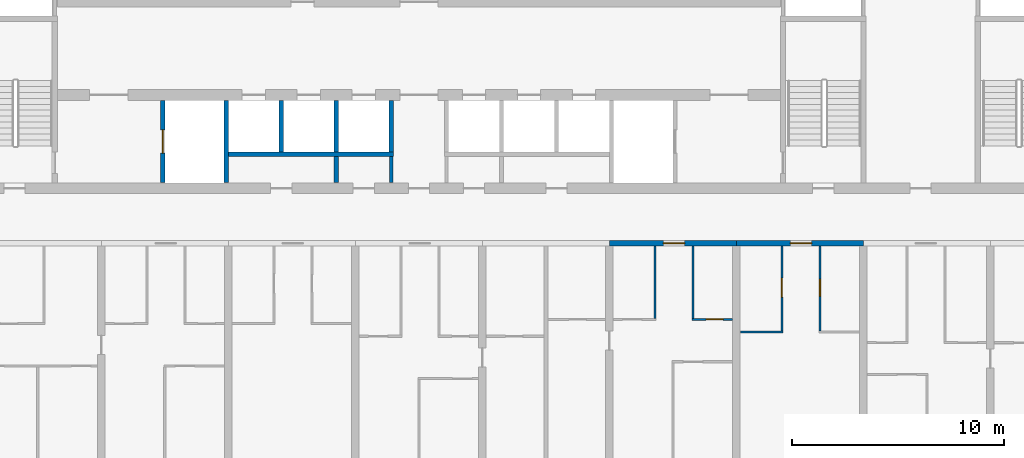
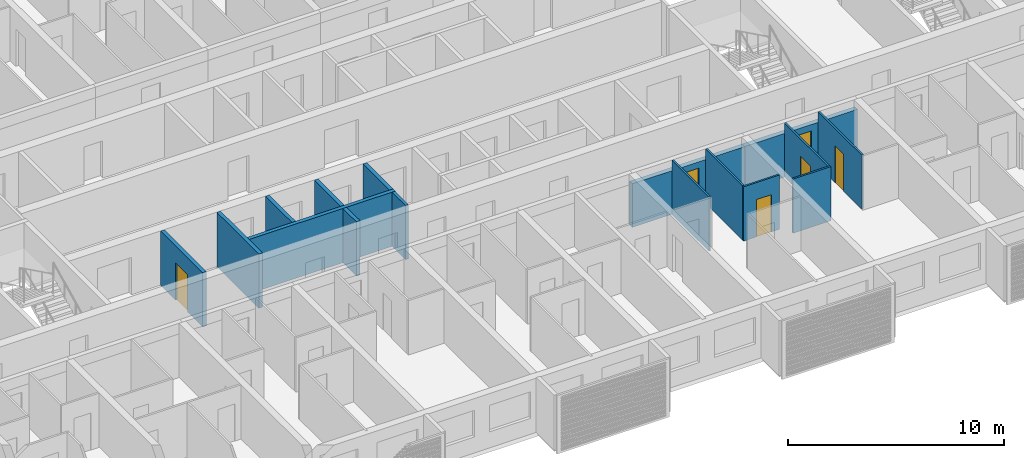
# One storey, part 7 of 28: 16 walls, 6 doors, 6 openings.
"""IFC4 building model written with IfcOpenShell, lengths in metres."""

from ifc_helpers import new_model, si_unit, direction, frame, frame_2d, origin, place, context, subcontext, project, spatial, rectangle, extrude, material, layer, layer_set, type_object, element, fill, save


model = new_model("IFC4")

# Units and contexts
model_context = context("Model", 3, precision=1e-05, world=origin(), true_north=direction((0.0, 1.0)))
body_context = subcontext(model_context, "Body", "Model", "MODEL_VIEW")
ifc_project = project(units=[si_unit("LENGTHUNIT", "METRE"), si_unit("AREAUNIT", "SQUARE_METRE"), si_unit("VOLUMEUNIT", "CUBIC_METRE"), si_unit("PLANEANGLEUNIT", "RADIAN"), si_unit("MASSUNIT", "GRAM", prefix="KILO")], contexts=[model_context])

# Site, building, storey
site_placement = place(None, origin())
site = spatial("IfcSite", under=ifc_project, at=site_placement, CompositionType="ELEMENT")
building_placement = place(site_placement, origin())
building = spatial("IfcBuilding", under=site, at=building_placement, Name="Poui Terraces", CompositionType="ELEMENT")
storey_placement = place(building_placement, frame((0.0, 0.0, 72.89990234375)))
storey = spatial("IfcBuildingStorey", under=building, at=storey_placement, Name="L19", CompositionType="ELEMENT", Elevation=72.89990234375)

# Wall
ifc_material_1 = material(Name="Fire-rated plasterboard wall")
ifc_layer_1 = layer(ifc_material_1, 0.14990234375)
ifc_layer_set_1 = layer_set([ifc_layer_1], Name="Fire-rated plasterboard wall")
wall_type_1 = type_object("IfcWallType", Name="CORRIDOR WALL 150", PredefinedType="PARTITIONING", material=ifc_layer_set_1)
wall_1_placement = place(storey_placement, frame((49.699951171875, 14.860107421875, 0.0), z_axis=(0.0, 0.0, 1.0), x_axis=(0.0, 1.0, 0.0)))
element("IfcWall", 1, at=wall_1_placement, inside=storey, type_object=wall_type_1, Name="CORRIDOR WALL 150", PredefinedType="PARTITIONING", context=body_context, shape_type="SweptSolid", body=[
    extrude(rectangle(XDim=1.239990234375, YDim=0.14990234375, at=frame_2d((0.6201171875, 0.0))), origin(), (0.0, 0.0, 1.0), 3.06005859375),
])

# Wall, opening, door
ifc_material_2 = material(Name="Concrete 65 MPa", Category="concrete")
ifc_layer_2 = layer(ifc_material_2, 0.25)
ifc_layer_set_2 = layer_set([ifc_layer_2], Name="Concrete 65 MPa")
wall_type_2 = type_object("IfcWallType", Name="CORRIDOR WALL 250 65MPa", PredefinedType="SHEAR", material=ifc_layer_set_2)
wall_2_placement = place(storey_placement, frame((60.0, 12.0, 0.0), z_axis=(0.0, 0.0, 1.0), x_axis=(1.0, 0.0, 0.0)))
wall_2 = element("IfcWall", 2, at=wall_2_placement, inside=storey, type_object=wall_type_2, Name="CORRIDOR WALL LINE B BAY 10", PredefinedType="SHEAR", context=body_context, shape_type="SweptSolid", body=[
    extrude(rectangle(XDim=6.0, YDim=0.25, at=frame_2d((3.0, 0.0))), origin(), (0.0, 0.0, 1.0), 2.460205078125),
])
opening_1_placement = place(wall_2_placement, frame((2.550048828125, 0.0, 0.0)))
opening_1 = element("IfcOpeningElement", 3, at=opening_1_placement, cuts=wall_2, Name="Opening FD30S", PredefinedType="OPENING", context=body_context, shape_type="SweptSolid", body=[
    extrude(rectangle(XDim=1.0, YDim=2.10009765625, at=frame_2d((0.5, 1.050048828125))), frame((0.0, 0.135009765625, 0.0), z_axis=(0.0, -1.0, 0.0), x_axis=(1.0, 0.0, 0.0)), (0.0, 0.0, 1.0), 0.27001953125),
])
ifc_material_3 = material(Name="Steel fire door", Category="steel")
door_type_1 = type_object("IfcDoorType", Name="FLAT ENTRANCE DOOR 1000 X 2100", OperationType="NOTDEFINED", PredefinedType="DOOR", material=ifc_material_3)
door_1_placement = place(opening_1_placement, frame((1.0, 0.0, 0.0), z_axis=(0.0, 0.0, 1.0), x_axis=(-1.0, 0.0, 0.0)))
door_1 = element("IfcDoor", 4, at=door_1_placement, inside=storey, type_object=door_type_1, Name="FLAT ENTRANCE DOOR 116", OperationType="SINGLE_SWING_LEFT", OverallHeight=2.10009765625, OverallWidth=1.0, PredefinedType="DOOR", context=body_context, shape_type="SweptSolid", body=[
    extrude(rectangle(XDim=1.0, YDim=2.10009765625, at=frame_2d((0.5, 1.050048828125))), frame((0.0, 0.02490234375, 0.0), z_axis=(0.0, -1.0, 0.0), x_axis=(1.0, 0.0, 0.0)), (0.0, 0.0, 1.0), 0.050048828125),
])
fill(opening_1, door_1)

wall_3_placement = place(storey_placement, frame((66.0, 12.0, 0.0), z_axis=(0.0, 0.0, 1.0), x_axis=(1.0, 0.0, 0.0)))
wall_3 = element("IfcWall", 5, at=wall_3_placement, inside=storey, type_object=wall_type_2, Name="CORRIDOR WALL LINE B BAY 11", PredefinedType="SHEAR", context=body_context, shape_type="SweptSolid", body=[
    extrude(rectangle(XDim=6.0, YDim=0.25, at=frame_2d((3.0, 0.0))), origin(), (0.0, 0.0, 1.0), 2.460205078125),
])
opening_2_placement = place(wall_3_placement, frame((2.550048828125, 0.0, 0.0)))
opening_2 = element("IfcOpeningElement", 6, at=opening_2_placement, cuts=wall_3, Name="Opening FD30S", PredefinedType="OPENING", context=body_context, shape_type="SweptSolid", body=[
    extrude(rectangle(XDim=1.0, YDim=2.10009765625, at=frame_2d((0.5, 1.050048828125))), frame((0.0, 0.135009765625, 0.0), z_axis=(0.0, -1.0, 0.0), x_axis=(1.0, 0.0, 0.0)), (0.0, 0.0, 1.0), 0.27001953125),
])
door_2_placement = place(opening_2_placement, frame((1.0, 0.0, 0.0), z_axis=(0.0, 0.0, 1.0), x_axis=(-1.0, 0.0, 0.0)))
door_2 = element("IfcDoor", 7, at=door_2_placement, inside=storey, type_object=door_type_1, Name="FLAT ENTRANCE DOOR 120", OperationType="SINGLE_SWING_LEFT", OverallHeight=2.10009765625, OverallWidth=1.0, PredefinedType="DOOR", context=body_context, shape_type="SweptSolid", body=[
    extrude(rectangle(XDim=1.0, YDim=2.10009765625, at=frame_2d((0.5, 1.050048828125))), frame((0.0, 0.02490234375, 0.0), z_axis=(0.0, -1.0, 0.0), x_axis=(1.0, 0.0, 0.0)), (0.0, 0.0, 1.0), 0.050048828125),
])
fill(opening_2, door_2)

# Wall
ifc_material_4 = material(Name="Plasterboard partition")
ifc_layer_3 = layer(ifc_material_4, 0.10009765625)
ifc_layer_set_3 = layer_set([ifc_layer_3], Name="Plasterboard partition")
wall_type_3 = type_object("IfcWallType", Name="FLAT PARTITION 100", PredefinedType="PARTITIONING", material=ifc_layer_set_3)
wall_4_placement = place(storey_placement, frame((66.18505859375, 7.800048828125, 0.0), z_axis=(0.0, 0.0, 1.0), x_axis=(1.0, 0.0, 0.0)))
element("IfcWall", 8, at=wall_4_placement, inside=storey, type_object=wall_type_3, Name="FLAT PARTITION 100", PredefinedType="PARTITIONING", context=body_context, shape_type="SweptSolid", body=[
    extrude(rectangle(XDim=2.014892578125, YDim=0.10009765625, at=frame_2d((1.00732421875, 0.0))), origin(), (0.0, 0.0, 1.0), 3.06005859375),
])

# Wall, opening, door
wall_5_placement = place(storey_placement, frame((63.89990234375, 8.39990234375, 0.0), z_axis=(0.0, 0.0, 1.0), x_axis=(1.0, 0.0, 0.0)))
wall_5 = element("IfcWall", 9, at=wall_5_placement, inside=storey, type_object=wall_type_3, Name="FLAT PARTITION 100", PredefinedType="PARTITIONING", context=body_context, shape_type="SweptSolid", body=[
    extrude(rectangle(XDim=1.9150390625, YDim=0.10009765625, at=frame_2d((0.95751953125, 0.0))), origin(), (0.0, 0.0, 1.0), 3.06005859375),
])
opening_3_placement = place(wall_5_placement, frame((0.675048828125, 0.0, 0.0)))
opening_3 = element("IfcOpeningElement", 10, at=opening_3_placement, cuts=wall_5, Name="Opening D80", PredefinedType="OPENING", context=body_context, shape_type="SweptSolid", body=[
    extrude(rectangle(XDim=0.800048828125, YDim=2.10009765625, at=frame_2d((0.39990234375, 1.050048828125))), frame((0.0, 0.06005859375, 0.0), z_axis=(0.0, -1.0, 0.0), x_axis=(1.0, 0.0, 0.0)), (0.0, 0.0, 1.0), 0.1201171875),
])
ifc_material_5 = material(Name="Solid core timber door", Category="wood")
door_type_2 = type_object("IfcDoorType", Name="BATHROOM, LAUNDRY AND STORE DOOR 800 X 2100", OperationType="NOTDEFINED", PredefinedType="DOOR", material=ifc_material_5)
door_3_placement = place(opening_3_placement, origin())
door_3 = element("IfcDoor", 11, at=door_3_placement, inside=storey, type_object=door_type_2, Name="BATHROOM, LAUNDRY AND STORE DOOR 118", OperationType="SINGLE_SWING_LEFT", OverallHeight=2.10009765625, OverallWidth=0.800048828125, PredefinedType="DOOR", context=body_context, shape_type="SweptSolid", body=[
    extrude(rectangle(XDim=0.800048828125, YDim=2.10009765625, at=frame_2d((0.39990234375, 1.050048828125))), frame((0.0, 0.02490234375, 0.0), z_axis=(0.0, -1.0, 0.0), x_axis=(1.0, 0.0, 0.0)), (0.0, 0.0, 1.0), 0.050048828125),
])
fill(opening_3, door_3)

# Walls
for number, where, z_axis, x_axis, name in (
    (12, (62.14990234375, 8.449951171875, 0.0), (0.0, 0.0, 1.0), (0.0, 1.0, 0.0), "FLAT PARTITION 100"),
    (13, (63.949951171875, 8.449951171875, 0.0), (0.0, 0.0, 1.0), (0.0, 1.0, 0.0), "FLAT PARTITION 100"),
):
    element("IfcWall", number, at=place(storey_placement, frame(where, z_axis=z_axis, x_axis=x_axis)), inside=storey, type_object=wall_type_3, Name=name, PredefinedType="PARTITIONING", context=body_context, shape_type="SweptSolid", body=[
        extrude(rectangle(XDim=3.4150390625, YDim=0.10009765625, at=frame_2d((1.70751953125, 0.0))), origin(), (0.0, 0.0, 1.0), 3.06005859375),
    ])

# Wall, opening, door
wall_6_placement = place(storey_placement, frame((68.14990234375, 7.85009765625, 0.0), z_axis=(0.0, 0.0, 1.0), x_axis=(0.0, 1.0, 0.0)))
wall_6 = element("IfcWall", 14, at=wall_6_placement, inside=storey, type_object=wall_type_3, Name="FLAT PARTITION 100", PredefinedType="PARTITIONING", context=body_context, shape_type="SweptSolid", body=[
    extrude(rectangle(XDim=4.014892578125, YDim=0.10009765625, at=frame_2d((2.00732421875, 0.0))), origin(), (0.0, 0.0, 1.0), 3.06005859375),
])
opening_4_placement = place(wall_6_placement, frame((1.60009765625, 0.0, 0.0)))
opening_4 = element("IfcOpeningElement", 15, at=opening_4_placement, cuts=wall_6, Name="Opening D90", PredefinedType="OPENING", context=body_context, shape_type="SweptSolid", body=[
    extrude(rectangle(XDim=0.89990234375, YDim=2.10009765625, at=frame_2d((0.449951171875, 1.050048828125))), frame((0.0, 0.06005859375, 0.0), z_axis=(0.0, -1.0, 0.0), x_axis=(1.0, 0.0, 0.0)), (0.0, 0.0, 1.0), 0.1201171875),
])
door_type_3 = type_object("IfcDoorType", Name="INTERNAL DOOR 900 X 2100", OperationType="NOTDEFINED", PredefinedType="DOOR", material=ifc_material_5)
door_4_placement = place(opening_4_placement, origin())
door_4 = element("IfcDoor", 16, at=door_4_placement, inside=storey, type_object=door_type_3, Name="INTERNAL DOOR 119", OperationType="SINGLE_SWING_RIGHT", OverallHeight=2.10009765625, OverallWidth=0.89990234375, PredefinedType="DOOR", context=body_context, shape_type="SweptSolid", body=[
    extrude(rectangle(XDim=0.89990234375, YDim=2.10009765625, at=frame_2d((0.449951171875, 1.050048828125))), frame((0.0, 0.02490234375, 0.0), z_axis=(0.0, -1.0, 0.0), x_axis=(1.0, 0.0, 0.0)), (0.0, 0.0, 1.0), 0.050048828125),
])
fill(opening_4, door_4)

wall_7_placement = place(storey_placement, frame((69.949951171875, 7.85009765625, 0.0), z_axis=(0.0, 0.0, 1.0), x_axis=(0.0, 1.0, 0.0)))
wall_7 = element("IfcWall", 17, at=wall_7_placement, inside=storey, type_object=wall_type_3, Name="FLAT PARTITION 100", PredefinedType="PARTITIONING", context=body_context, shape_type="SweptSolid", body=[
    extrude(rectangle(XDim=4.014892578125, YDim=0.10009765625, at=frame_2d((2.00732421875, 0.0))), origin(), (0.0, 0.0, 1.0), 3.06005859375),
])
opening_5_placement = place(wall_7_placement, frame((1.64990234375, 0.0, 0.0)))
opening_5 = element("IfcOpeningElement", 18, at=opening_5_placement, cuts=wall_7, Name="Opening D80", PredefinedType="OPENING", context=body_context, shape_type="SweptSolid", body=[
    extrude(rectangle(XDim=0.800048828125, YDim=2.10009765625, at=frame_2d((0.39990234375, 1.050048828125))), frame((0.0, 0.06005859375, 0.0), z_axis=(0.0, -1.0, 0.0), x_axis=(1.0, 0.0, 0.0)), (0.0, 0.0, 1.0), 0.1201171875),
])
door_5_placement = place(opening_5_placement, frame((0.800048828125, 0.0, 0.0), z_axis=(0.0, 0.0, 1.0), x_axis=(-1.0, 0.0, 0.0)))
door_5 = element("IfcDoor", 19, at=door_5_placement, inside=storey, type_object=door_type_2, Name="BATHROOM, LAUNDRY AND STORE DOOR 121", OperationType="SINGLE_SWING_RIGHT", OverallHeight=2.10009765625, OverallWidth=0.800048828125, PredefinedType="DOOR", context=body_context, shape_type="SweptSolid", body=[
    extrude(rectangle(XDim=0.800048828125, YDim=2.10009765625, at=frame_2d((0.39990234375, 1.050048828125))), frame((0.0, 0.02490234375, 0.0), z_axis=(0.0, -1.0, 0.0), x_axis=(1.0, 0.0, 0.0)), (0.0, 0.0, 1.0), 0.050048828125),
])
fill(opening_5, door_5)

# Walls
ifc_material_6 = material(Name="Fire-rated masonry wall", Category="masonry")
ifc_layer_4 = layer(ifc_material_6, 0.199951171875)
ifc_layer_set_4 = layer_set([ifc_layer_4], Name="Fire-rated masonry wall")
wall_type_4 = type_object("IfcWallType", Name="PLANT ROOM WALL 200", PredefinedType="PARTITIONING", material=ifc_layer_set_4)
wall_8_placement = place(storey_placement, frame((47.10009765625, 14.860107421875, 0.0), z_axis=(0.0, 0.0, 1.0), x_axis=(0.0, 1.0, 0.0)))
element("IfcWall", 20, at=wall_8_placement, inside=storey, type_object=wall_type_4, Name="PLANT ROOM WALL 200", PredefinedType="PARTITIONING", context=body_context, shape_type="SweptSolid", body=[
    extrude(rectangle(XDim=1.239990234375, YDim=0.199951171875, at=frame_2d((0.6201171875, 0.0))), origin(), (0.0, 0.0, 1.0), 3.06005859375),
])
ifc_material_7 = material(Name="Fire-rated masonry shaft wall", Category="masonry")
ifc_layer_5 = layer(ifc_material_7, 0.199951171875)
ifc_layer_set_5 = layer_set([ifc_layer_5], Name="Fire-rated masonry shaft wall")
wall_type_5 = type_object("IfcWallType", Name="SHAFT WALL 200", PredefinedType="PARTITIONING", material=ifc_layer_set_5)
wall_9_placement = place(storey_placement, frame((42.0, 16.199951171875, 0.0), z_axis=(0.0, 0.0, 1.0), x_axis=(1.0, 0.0, 0.0)))
element("IfcWall", 21, at=wall_9_placement, inside=storey, type_object=wall_type_5, Name="SHAFT WALL 200", PredefinedType="PARTITIONING", context=body_context, shape_type="SweptSolid", body=[
    extrude(rectangle(XDim=7.800048828125, YDim=0.199951171875, at=frame_2d((3.89990234375, 0.0))), origin(), (0.0, 0.0, 1.0), 3.06005859375),
])

# Wall, opening, door
wall_10_placement = place(storey_placement, frame((38.89990234375, 14.860107421875, 0.0), z_axis=(0.0, 0.0, 1.0), x_axis=(0.0, 1.0, 0.0)))
wall_10 = element("IfcWall", 22, at=wall_10_placement, inside=storey, type_object=wall_type_5, Name="SHAFT WALL 200", PredefinedType="PARTITIONING", context=body_context, shape_type="SweptSolid", body=[
    extrude(rectangle(XDim=3.8798828125, YDim=0.199951171875, at=frame_2d((1.93994140625, 0.0))), origin(), (0.0, 0.0, 1.0), 3.06005859375),
])
opening_6_placement = place(wall_10_placement, frame((1.389892578125, 0.0, 0.0)))
opening_6 = element("IfcOpeningElement", 23, at=opening_6_placement, cuts=wall_10, Name="Opening LD", PredefinedType="OPENING", context=body_context, shape_type="SweptSolid", body=[
    extrude(rectangle(XDim=1.10009765625, YDim=2.10009765625, at=frame_2d((0.550048828125, 1.050048828125))), frame((0.0, 0.10986328125, 0.0), z_axis=(0.0, -1.0, 0.0), x_axis=(1.0, 0.0, 0.0)), (0.0, 0.0, 1.0), 0.219970703125),
])
ifc_material_8 = material(Name="Stainless steel sliding door", Category="steel")
door_type_4 = type_object("IfcDoorType", Name="LIFT LANDING DOOR 1100 X 2100", OperationType="DOUBLE_DOOR_SLIDING", PredefinedType="DOOR", material=ifc_material_8)
door_6_placement = place(opening_6_placement, origin())
door_6 = element("IfcDoor", 24, at=door_6_placement, inside=storey, type_object=door_type_4, Name="LANDING DOOR", OperationType="DOUBLE_DOOR_SLIDING", OverallHeight=2.10009765625, OverallWidth=1.10009765625, PredefinedType="DOOR", context=body_context, shape_type="SweptSolid", body=[
    extrude(rectangle(XDim=1.10009765625, YDim=2.10009765625, at=frame_2d((0.550048828125, 1.050048828125))), frame((0.0, 0.02490234375, 0.0), z_axis=(0.0, -1.0, 0.0), x_axis=(1.0, 0.0, 0.0)), (0.0, 0.0, 1.0), 0.050048828125),
])
fill(opening_6, door_6)

# Walls
wall_11_placement = place(storey_placement, frame((41.89990234375, 14.860107421875, 0.0), z_axis=(0.0, 0.0, 1.0), x_axis=(0.0, 1.0, 0.0)))
element("IfcWall", 25, at=wall_11_placement, inside=storey, type_object=wall_type_5, Name="SHAFT WALL 200", PredefinedType="PARTITIONING", context=body_context, shape_type="SweptSolid", body=[
    extrude(rectangle(XDim=3.8798828125, YDim=0.199951171875, at=frame_2d((1.93994140625, 0.0))), origin(), (0.0, 0.0, 1.0), 3.06005859375),
])
for number, where, z_axis, x_axis, name in (
    (26, (44.5, 16.300048828125, 0.0), (0.0, 0.0, 1.0), (0.0, 1.0, 0.0), "SHAFT WALL 200"),
    (27, (47.10009765625, 16.300048828125, 0.0), (0.0, 0.0, 1.0), (0.0, 1.0, 0.0), "SHAFT WALL 200"),
    (28, (49.699951171875, 16.300048828125, 0.0), (0.0, 0.0, 1.0), (0.0, 1.0, 0.0), "SHAFT WALL 200"),
):
    element("IfcWall", number, at=place(storey_placement, frame(where, z_axis=z_axis, x_axis=x_axis)), inside=storey, type_object=wall_type_5, Name=name, PredefinedType="PARTITIONING", context=body_context, shape_type="SweptSolid", body=[
        extrude(rectangle(XDim=2.43994140625, YDim=0.199951171875, at=frame_2d((1.219970703125, 0.0))), origin(), (0.0, 0.0, 1.0), 3.06005859375),
    ])

save(model, "model.ifc")
